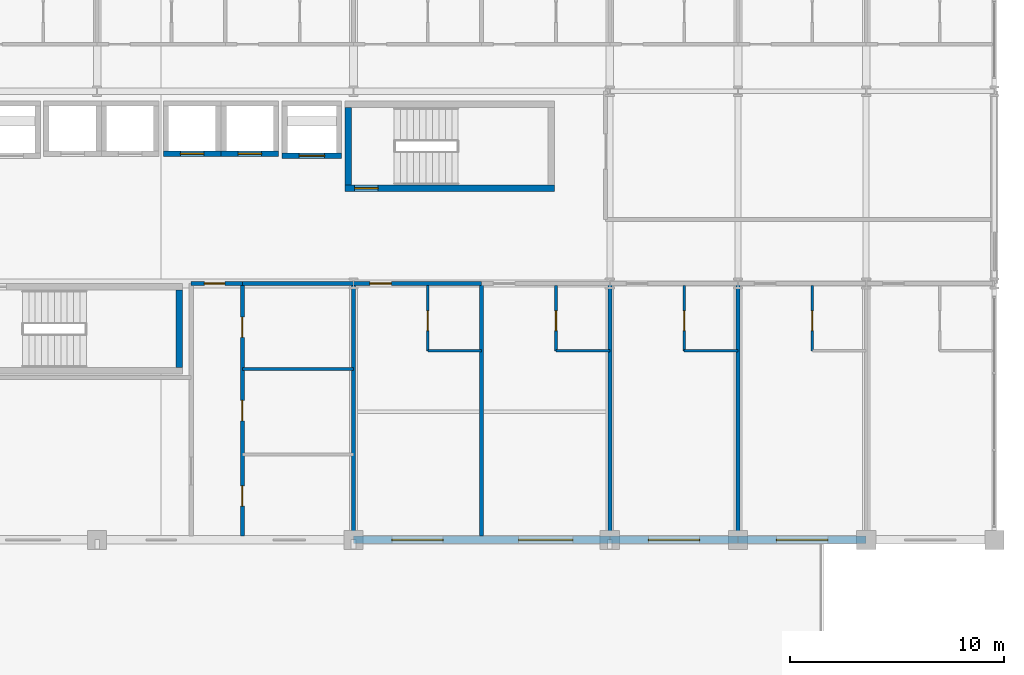
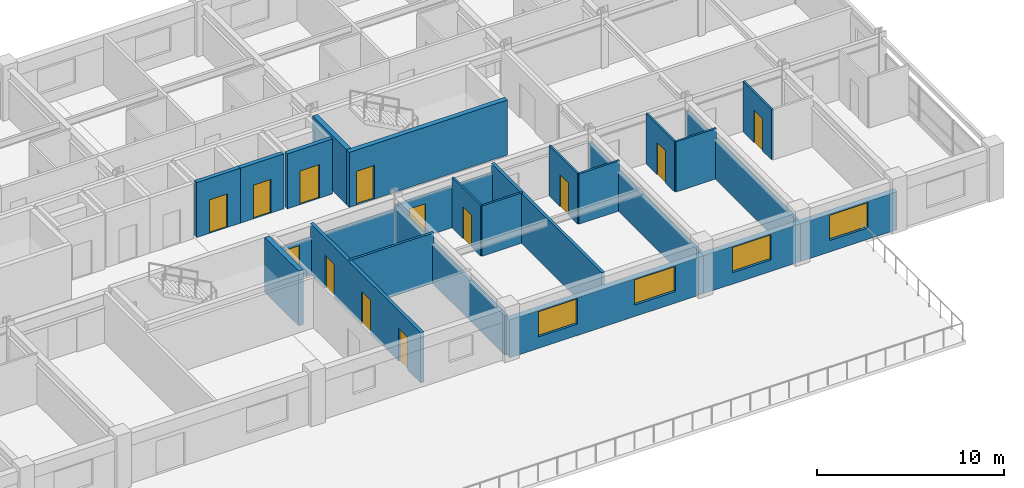
# One storey, part 18 of 24: 25 walls, 13 doors, 4 windows, 17 openings.
"""IFC4 building model written with IfcOpenShell, lengths in metres."""

from ifc_helpers import new_model, si_unit, direction, frame, frame_2d, origin, place, context, subcontext, project, spatial, rectangle, extrude, material, layer, layer_set, type_object, element, fill, save


model = new_model("IFC4")

# Units and contexts
model_context = context("Model", 3, precision=1e-05, world=origin(), true_north=direction((0.0, 1.0)))
body_context = subcontext(model_context, "Body", "Model", "MODEL_VIEW")
ifc_project = project(units=[si_unit("LENGTHUNIT", "METRE"), si_unit("AREAUNIT", "SQUARE_METRE"), si_unit("VOLUMEUNIT", "CUBIC_METRE"), si_unit("PLANEANGLEUNIT", "RADIAN"), si_unit("MASSUNIT", "GRAM", prefix="KILO")], contexts=[model_context])

# Site, building, storey
site_placement = place(None, origin())
site = spatial("IfcSite", under=ifc_project, at=site_placement, CompositionType="ELEMENT")
building_placement = place(site_placement, origin())
building = spatial("IfcBuilding", under=site, at=building_placement, Name="Kaldorvane Square Convention Centre", CompositionType="ELEMENT")
storey_placement = place(building_placement, frame((0.0, 0.0, 27.600006103515625)))
storey = spatial("IfcBuildingStorey", under=building, at=storey_placement, Name="L05", CompositionType="ELEMENT", Elevation=27.600006103515625)

# Wall, opening, door
ifc_material_1 = material(Name="Fire-Rated Gypsum Board on Acoustic Steel Studs", Category="steel")
ifc_layer_1 = layer(ifc_material_1, 0.125)
ifc_layer_set_1 = layer_set([ifc_layer_1], Name="Fire-Rated Gypsum Board on Acoustic Steel Studs")
wall_type_1 = type_object("IfcWallType", Name="WL-BATH-125", PredefinedType="PARTITIONING", material=ifc_layer_set_1)
wall_1_placement = place(storey_placement, frame((69.47999572753906, 92.85000610351562, 0.0), z_axis=(0.0, 0.0, 1.0), x_axis=(0.0, 1.0, 0.0)))
wall_1 = element("IfcWall", 1, at=wall_1_placement, inside=storey, type_object=wall_type_1, Name="En-Suite 516 West Wall", PredefinedType="PARTITIONING", context=body_context, shape_type="SweptSolid", body=[
    extrude(rectangle(XDim=3.05999755859375, YDim=0.125, at=frame_2d((1.529998779296875, 0.0))), origin(), (0.0, 0.0, 1.0), 3.2899932861328125),
])
opening_1_placement = place(wall_1_placement, frame((0.9499969482421875, 0.0, 0.0)))
opening_1 = element("IfcOpeningElement", 2, at=opening_1_placement, cuts=wall_1, Name="Opening ID-12", PredefinedType="OPENING", context=body_context, shape_type="SweptSolid", body=[
    extrude(rectangle(XDim=0.9199981689453125, YDim=2.100006103515625, at=frame_2d((0.459991455078125, 1.0500030517578125))), frame((0.0, 0.0774993896484375, 0.0), z_axis=(0.0, -1.0, 0.0), x_axis=(1.0, 0.0, 0.0)), (0.0, 0.0, 1.0), 0.154998779296875),
])
ifc_material_2 = material(Name="Architectural Solid-Core White Oak")
door_type_1 = type_object("IfcDoorType", Name="DR-BATH-0920X2100", OperationType="SINGLE_SWING_RIGHT", PredefinedType="DOOR", material=ifc_material_2)
door_1_placement = place(opening_1_placement, origin())
door_1 = element("IfcDoor", 3, at=door_1_placement, inside=storey, type_object=door_type_1, Name="En-Suite Bathroom 516 Door", OperationType="SINGLE_SWING_RIGHT", OverallHeight=2.100006103515625, OverallWidth=0.9199981689453125, PredefinedType="DOOR", context=body_context, shape_type="SweptSolid", body=[
    extrude(rectangle(XDim=0.9199981689453125, YDim=2.100006103515625, at=frame_2d((0.459991455078125, 1.0500030517578125))), frame((0.0, 0.024993896484375, 0.0), z_axis=(0.0, -1.0, 0.0), x_axis=(1.0, 0.0, 0.0)), (0.0, 0.0, 1.0), 0.0500030517578125),
])
fill(opening_1, door_1)

# Wall
wall_2_placement = place(storey_placement, frame((69.47999572753906, 92.85000610351562, 0.0), z_axis=(0.0, 0.0, 1.0), x_axis=(1.0, 0.0, 0.0)))
element("IfcWall", 4, at=wall_2_placement, inside=storey, type_object=wall_type_1, Name="En-Suite 516 South Wall", PredefinedType="PARTITIONING", context=body_context, shape_type="SweptSolid", body=[
    extrude(rectangle(XDim=2.5200042724609375, YDim=0.125, at=frame_2d((1.260009765625, 0.0))), origin(), (0.0, 0.0, 1.0), 3.2899932861328125),
])

# Wall, opening, door
wall_3_placement = place(storey_placement, frame((75.47999572753906, 92.85000610351562, 0.0), z_axis=(0.0, 0.0, 1.0), x_axis=(0.0, 1.0, 0.0)))
wall_3 = element("IfcWall", 5, at=wall_3_placement, inside=storey, type_object=wall_type_1, Name="En-Suite 517 West Wall", PredefinedType="PARTITIONING", context=body_context, shape_type="SweptSolid", body=[
    extrude(rectangle(XDim=3.05999755859375, YDim=0.125, at=frame_2d((1.529998779296875, 0.0))), origin(), (0.0, 0.0, 1.0), 3.2899932861328125),
])
opening_2_placement = place(wall_3_placement, frame((0.9499969482421875, 0.0, 0.0)))
opening_2 = element("IfcOpeningElement", 6, at=opening_2_placement, cuts=wall_3, Name="Opening ID-12", PredefinedType="OPENING", context=body_context, shape_type="SweptSolid", body=[
    extrude(rectangle(XDim=0.9199981689453125, YDim=2.100006103515625, at=frame_2d((0.459991455078125, 1.0500030517578125))), frame((0.0, 0.0774993896484375, 0.0), z_axis=(0.0, -1.0, 0.0), x_axis=(1.0, 0.0, 0.0)), (0.0, 0.0, 1.0), 0.154998779296875),
])
door_2_placement = place(opening_2_placement, origin())
door_2 = element("IfcDoor", 7, at=door_2_placement, inside=storey, type_object=door_type_1, Name="En-Suite Bathroom 517 Door", OperationType="SINGLE_SWING_RIGHT", OverallHeight=2.100006103515625, OverallWidth=0.9199981689453125, PredefinedType="DOOR", context=body_context, shape_type="SweptSolid", body=[
    extrude(rectangle(XDim=0.9199981689453125, YDim=2.100006103515625, at=frame_2d((0.459991455078125, 1.0500030517578125))), frame((0.0, 0.024993896484375, 0.0), z_axis=(0.0, -1.0, 0.0), x_axis=(1.0, 0.0, 0.0)), (0.0, 0.0, 1.0), 0.0500030517578125),
])
fill(opening_2, door_2)

# Wall
wall_4_placement = place(storey_placement, frame((75.47999572753906, 92.85000610351562, 0.0), z_axis=(0.0, 0.0, 1.0), x_axis=(1.0, 0.0, 0.0)))
element("IfcWall", 8, at=wall_4_placement, inside=storey, type_object=wall_type_1, Name="En-Suite 517 South Wall", PredefinedType="PARTITIONING", context=body_context, shape_type="SweptSolid", body=[
    extrude(rectangle(XDim=2.5200042724609375, YDim=0.125, at=frame_2d((1.260009765625, 0.0))), origin(), (0.0, 0.0, 1.0), 3.2899932861328125),
])

# Wall, opening, door
wall_5_placement = place(storey_placement, frame((81.47999572753906, 92.85000610351562, 0.0), z_axis=(0.0, 0.0, 1.0), x_axis=(0.0, 1.0, 0.0)))
wall_5 = element("IfcWall", 9, at=wall_5_placement, inside=storey, type_object=wall_type_1, Name="En-Suite 518 West Wall", PredefinedType="PARTITIONING", context=body_context, shape_type="SweptSolid", body=[
    extrude(rectangle(XDim=3.05999755859375, YDim=0.125, at=frame_2d((1.529998779296875, 0.0))), origin(), (0.0, 0.0, 1.0), 3.2899932861328125),
])
opening_3_placement = place(wall_5_placement, frame((0.9499969482421875, 0.0, 0.0)))
opening_3 = element("IfcOpeningElement", 10, at=opening_3_placement, cuts=wall_5, Name="Opening ID-12", PredefinedType="OPENING", context=body_context, shape_type="SweptSolid", body=[
    extrude(rectangle(XDim=0.9199981689453125, YDim=2.100006103515625, at=frame_2d((0.459991455078125, 1.0500030517578125))), frame((0.0, 0.0774993896484375, 0.0), z_axis=(0.0, -1.0, 0.0), x_axis=(1.0, 0.0, 0.0)), (0.0, 0.0, 1.0), 0.154998779296875),
])
door_3_placement = place(opening_3_placement, origin())
door_3 = element("IfcDoor", 11, at=door_3_placement, inside=storey, type_object=door_type_1, Name="En-Suite Bathroom 518 Door", OperationType="SINGLE_SWING_RIGHT", OverallHeight=2.100006103515625, OverallWidth=0.9199981689453125, PredefinedType="DOOR", context=body_context, shape_type="SweptSolid", body=[
    extrude(rectangle(XDim=0.9199981689453125, YDim=2.100006103515625, at=frame_2d((0.459991455078125, 1.0500030517578125))), frame((0.0, 0.024993896484375, 0.0), z_axis=(0.0, -1.0, 0.0), x_axis=(1.0, 0.0, 0.0)), (0.0, 0.0, 1.0), 0.0500030517578125),
])
fill(opening_3, door_3)

# Wall
wall_6_placement = place(storey_placement, frame((81.47999572753906, 92.85000610351562, 0.0), z_axis=(0.0, 0.0, 1.0), x_axis=(1.0, 0.0, 0.0)))
element("IfcWall", 12, at=wall_6_placement, inside=storey, type_object=wall_type_1, Name="En-Suite 518 South Wall", PredefinedType="PARTITIONING", context=body_context, shape_type="SweptSolid", body=[
    extrude(rectangle(XDim=2.5200042724609375, YDim=0.125, at=frame_2d((1.260009765625, 0.0))), origin(), (0.0, 0.0, 1.0), 3.2899932861328125),
])

# Wall, opening, door
wall_7_placement = place(storey_placement, frame((87.47999572753906, 92.85000610351562, 0.0), z_axis=(0.0, 0.0, 1.0), x_axis=(0.0, 1.0, 0.0)))
wall_7 = element("IfcWall", 13, at=wall_7_placement, inside=storey, type_object=wall_type_1, Name="En-Suite 519 West Wall", PredefinedType="PARTITIONING", context=body_context, shape_type="SweptSolid", body=[
    extrude(rectangle(XDim=3.05999755859375, YDim=0.125, at=frame_2d((1.529998779296875, 0.0))), origin(), (0.0, 0.0, 1.0), 3.2899932861328125),
])
opening_4_placement = place(wall_7_placement, frame((0.9499969482421875, 0.0, 0.0)))
opening_4 = element("IfcOpeningElement", 14, at=opening_4_placement, cuts=wall_7, Name="Opening ID-12", PredefinedType="OPENING", context=body_context, shape_type="SweptSolid", body=[
    extrude(rectangle(XDim=0.9199981689453125, YDim=2.100006103515625, at=frame_2d((0.459991455078125, 1.0500030517578125))), frame((0.0, 0.0774993896484375, 0.0), z_axis=(0.0, -1.0, 0.0), x_axis=(1.0, 0.0, 0.0)), (0.0, 0.0, 1.0), 0.154998779296875),
])
door_4_placement = place(opening_4_placement, origin())
door_4 = element("IfcDoor", 15, at=door_4_placement, inside=storey, type_object=door_type_1, Name="En-Suite Bathroom 519 Door", OperationType="SINGLE_SWING_RIGHT", OverallHeight=2.100006103515625, OverallWidth=0.9199981689453125, PredefinedType="DOOR", context=body_context, shape_type="SweptSolid", body=[
    extrude(rectangle(XDim=0.9199981689453125, YDim=2.100006103515625, at=frame_2d((0.459991455078125, 1.0500030517578125))), frame((0.0, 0.024993896484375, 0.0), z_axis=(0.0, -1.0, 0.0), x_axis=(1.0, 0.0, 0.0)), (0.0, 0.0, 1.0), 0.0500030517578125),
])
fill(opening_4, door_4)

ifc_layer_2 = layer(ifc_material_1, 0.1999969482421875)
ifc_layer_set_2 = layer_set([ifc_layer_2], Name="Fire-Rated Gypsum Board on Acoustic Steel Studs")
wall_type_2 = type_object("IfcWallType", Name="WL-CORR-200", PredefinedType="PARTITIONING", material=ifc_layer_set_2)
wall_8_placement = place(storey_placement, frame((58.399993896484375, 96.0, 0.0), z_axis=(0.0, 0.0, 1.0), x_axis=(1.0, 0.0, 0.0)))
wall_8 = element("IfcWall", 16, at=wall_8_placement, inside=storey, type_object=wall_type_2, Name="Restroom Vestibule Entry Header (L05)", PredefinedType="PARTITIONING", context=body_context, shape_type="SweptSolid", body=[
    extrude(rectangle(XDim=2.4000091552734375, YDim=0.1999969482421875, at=frame_2d((1.20001220703125, 0.0))), origin(), (0.0, 0.0, 1.0), 2.3589935302734375),
])
opening_5_placement = place(wall_8_placement, frame((0.625, 0.0, 0.0)))
opening_5 = element("IfcOpeningElement", 17, at=opening_5_placement, cuts=wall_8, Name="Opening ID-13", PredefinedType="OPENING", context=body_context, shape_type="SweptSolid", body=[
    extrude(rectangle(XDim=0.9499969482421875, YDim=2.149993896484375, at=frame_2d((0.475006103515625, 1.0749969482421875))), frame((0.0, 0.114990234375, 0.0), z_axis=(0.0, -1.0, 0.0), x_axis=(1.0, 0.0, 0.0)), (0.0, 0.0, 1.0), 0.2299957275390625),
])
door_type_2 = type_object("IfcDoorType", Name="DR-WC-0950X2150", OperationType="SINGLE_SWING_LEFT", PredefinedType="DOOR", material=ifc_material_2)
door_5_placement = place(opening_5_placement, origin())
door_5 = element("IfcDoor", 18, at=door_5_placement, inside=storey, type_object=door_type_2, Name="Restroom Vestibule Door (L05)", OperationType="SINGLE_SWING_LEFT", OverallHeight=2.149993896484375, OverallWidth=0.9499969482421875, PredefinedType="DOOR", context=body_context, shape_type="SweptSolid", body=[
    extrude(rectangle(XDim=0.9499969482421875, YDim=2.149993896484375, at=frame_2d((0.475006103515625, 1.0749969482421875))), frame((0.0, 0.024993896484375, 0.0), z_axis=(0.0, -1.0, 0.0), x_axis=(1.0, 0.0, 0.0)), (0.0, 0.0, 1.0), 0.0500030517578125),
])
fill(opening_5, door_5)

# Wall, openings, doors
wall_9_placement = place(storey_placement, frame((60.80000305175781, 84.17500305175781, 0.0), z_axis=(0.0, 0.0, 1.0), x_axis=(0.0, 1.0, 0.0)))
wall_9 = element("IfcWall", 19, at=wall_9_placement, inside=storey, type_object=wall_type_2, Name="Restroom Vestibule East Wall (L05)", PredefinedType="PARTITIONING", context=body_context, shape_type="SweptSolid", body=[
    extrude(rectangle(XDim=11.824996948242188, YDim=0.1999969482421875, at=frame_2d((5.912506103515625, 0.0))), origin(), (0.0, 0.0, 1.0), 3.2899932861328125),
])
opening_6_placement = place(wall_9_placement, frame((1.399993896484375, 0.0, 0.0)))
opening_6 = element("IfcOpeningElement", 20, at=opening_6_placement, cuts=wall_9, Name="Opening ID-13", PredefinedType="OPENING", context=body_context, shape_type="SweptSolid", body=[
    extrude(rectangle(XDim=0.9499969482421875, YDim=2.149993896484375, at=frame_2d((0.475006103515625, 1.0749969482421875))), frame((0.0, 0.114990234375, 0.0), z_axis=(0.0, -1.0, 0.0), x_axis=(1.0, 0.0, 0.0)), (0.0, 0.0, 1.0), 0.2299957275390625),
])
opening_7_placement = place(wall_9_placement, frame((5.399993896484375, 0.0, 0.0)))
opening_7 = element("IfcOpeningElement", 21, at=opening_7_placement, cuts=wall_9, Name="Opening ID-13", PredefinedType="OPENING", context=body_context, shape_type="SweptSolid", body=[
    extrude(rectangle(XDim=0.9499969482421875, YDim=2.149993896484375, at=frame_2d((0.475006103515625, 1.0749969482421875))), frame((0.0, 0.114990234375, 0.0), z_axis=(0.0, -1.0, 0.0), x_axis=(1.0, 0.0, 0.0)), (0.0, 0.0, 1.0), 0.2299957275390625),
])
opening_8_placement = place(wall_9_placement, frame((9.300003051757812, 0.0, 0.0)))
opening_8 = element("IfcOpeningElement", 22, at=opening_8_placement, cuts=wall_9, Name="Opening ID-13", PredefinedType="OPENING", context=body_context, shape_type="SweptSolid", body=[
    extrude(rectangle(XDim=0.9499969482421875, YDim=2.149993896484375, at=frame_2d((0.475006103515625, 1.0749969482421875))), frame((0.0, 0.114990234375, 0.0), z_axis=(0.0, -1.0, 0.0), x_axis=(1.0, 0.0, 0.0)), (0.0, 0.0, 1.0), 0.2299957275390625),
])
door_6_placement = place(opening_6_placement, origin())
door_6 = element("IfcDoor", 23, at=door_6_placement, inside=storey, type_object=door_type_2, Name="Accessible Restroom Door (L05)", OperationType="SINGLE_SWING_LEFT", OverallHeight=2.149993896484375, OverallWidth=0.9499969482421875, PredefinedType="DOOR", context=body_context, shape_type="SweptSolid", body=[
    extrude(rectangle(XDim=0.9499969482421875, YDim=2.149993896484375, at=frame_2d((0.475006103515625, 1.0749969482421875))), frame((0.0, 0.024993896484375, 0.0), z_axis=(0.0, -1.0, 0.0), x_axis=(1.0, 0.0, 0.0)), (0.0, 0.0, 1.0), 0.0500030517578125),
])
fill(opening_6, door_6)
door_7_placement = place(opening_7_placement, origin())
door_7 = element("IfcDoor", 24, at=door_7_placement, inside=storey, type_object=door_type_2, Name="Men's Restroom Door (L05)", OperationType="SINGLE_SWING_LEFT", OverallHeight=2.149993896484375, OverallWidth=0.9499969482421875, PredefinedType="DOOR", context=body_context, shape_type="SweptSolid", body=[
    extrude(rectangle(XDim=0.9499969482421875, YDim=2.149993896484375, at=frame_2d((0.475006103515625, 1.0749969482421875))), frame((0.0, 0.024993896484375, 0.0), z_axis=(0.0, -1.0, 0.0), x_axis=(1.0, 0.0, 0.0)), (0.0, 0.0, 1.0), 0.0500030517578125),
])
fill(opening_7, door_7)
door_8_placement = place(opening_8_placement, origin())
door_8 = element("IfcDoor", 25, at=door_8_placement, inside=storey, type_object=door_type_2, Name="Women's Restroom Door (L05)", OperationType="SINGLE_SWING_LEFT", OverallHeight=2.149993896484375, OverallWidth=0.9499969482421875, PredefinedType="DOOR", context=body_context, shape_type="SweptSolid", body=[
    extrude(rectangle(XDim=0.9499969482421875, YDim=2.149993896484375, at=frame_2d((0.475006103515625, 1.0749969482421875))), frame((0.0, 0.024993896484375, 0.0), z_axis=(0.0, -1.0, 0.0), x_axis=(1.0, 0.0, 0.0)), (0.0, 0.0, 1.0), 0.0500030517578125),
])
fill(opening_8, door_8)

# Walls
wall_10_placement = place(storey_placement, frame((66.0, 84.17500305175781, 0.0), z_axis=(0.0, 0.0, 1.0), x_axis=(0.0, 1.0, 0.0)))
element("IfcWall", 26, at=wall_10_placement, inside=storey, type_object=wall_type_2, Name="Restroom East Wall (L05)", PredefinedType="PARTITIONING", context=body_context, shape_type="SweptSolid", body=[
    extrude(rectangle(XDim=11.824996948242188, YDim=0.1999969482421875, at=frame_2d((5.912506103515625, 0.0))), origin(), (0.0, 0.0, 1.0), 2.589996337890625),
])
wall_11_placement = place(storey_placement, frame((60.80000305175781, 96.0, 0.0), z_axis=(0.0, 0.0, 1.0), x_axis=(1.0, 0.0, 0.0)))
element("IfcWall", 27, at=wall_11_placement, inside=storey, type_object=wall_type_2, Name="Restroom North Wall (L05)", PredefinedType="PARTITIONING", context=body_context, shape_type="SweptSolid", body=[
    extrude(rectangle(XDim=5.1999969482421875, YDim=0.1999969482421875, at=frame_2d((2.600006103515625, 0.0))), origin(), (0.0, 0.0, 1.0), 2.3589935302734375),
])

# Wall, openings, windows
ifc_material_3 = material(Name="Concrete f'c = 42 MPa (Normalweight)", Category="concrete")
ifc_layer_3 = layer(ifc_material_3, 0.350006103515625)
ifc_layer_set_3 = layer_set([ifc_layer_3], Name="Concrete f'c = 42 MPa (Normalweight)")
wall_type_3 = type_object("IfcWallType", Name="WL-EXT-350", PredefinedType="STANDARD", material=ifc_layer_set_3)
wall_12_placement = place(storey_placement, frame((66.0, 84.0, 0.0), z_axis=(0.0, 0.0, 1.0), x_axis=(1.0, 0.0, 0.0)))
wall_12 = element("IfcWall", 28, at=wall_12_placement, inside=storey, type_object=wall_type_3, Name="Hotel S Brutalist Facade Wall (L05)", PredefinedType="STANDARD", context=body_context, shape_type="SweptSolid", body=[
    extrude(rectangle(XDim=12.0, YDim=0.350006103515625, at=frame_2d((6.0, 0.0))), origin(), (0.0, 0.0, 1.0), 2.485992431640625),
])
opening_9_placement = place(wall_12_placement, frame((1.8000030517578125, 0.0, 0.75)))
opening_9 = element("IfcOpeningElement", 29, at=opening_9_placement, cuts=wall_12, Name="Opening W-01", PredefinedType="OPENING", context=body_context, shape_type="SweptSolid", body=[
    extrude(rectangle(XDim=2.399993896484375, YDim=1.649993896484375, at=frame_2d((1.1999969482421875, 0.8249969482421875))), frame((0.0, 0.19000244140625, 0.0), z_axis=(0.0, -1.0, 0.0), x_axis=(1.0, 0.0, 0.0)), (0.0, 0.0, 1.0), 0.3800048828125),
])
opening_10_placement = place(wall_12_placement, frame((7.725006103515625, 0.0, 0.75)))
opening_10 = element("IfcOpeningElement", 30, at=opening_10_placement, cuts=wall_12, Name="Opening W-02", PredefinedType="OPENING", context=body_context, shape_type="SweptSolid", body=[
    extrude(rectangle(XDim=2.5500030517578125, YDim=1.649993896484375, at=frame_2d((1.274993896484375, 0.8249969482421875))), frame((0.0, 0.19000244140625, 0.0), z_axis=(0.0, -1.0, 0.0), x_axis=(1.0, 0.0, 0.0)), (0.0, 0.0, 1.0), 0.3800048828125),
])
ifc_material_4 = material(Name="Anodized Aluminum and Low-E Insulated Glazing", Category="aluminium")
window_type_1 = type_object("IfcWindowType", Name="WN-HTL-2400X1650", PartitioningType="DOUBLE_PANEL_VERTICAL", PredefinedType="WINDOW", material=ifc_material_4)
window_1_placement = place(opening_9_placement, origin())
window_1 = element("IfcWindow", 31, at=window_1_placement, inside=storey, type_object=window_type_1, Name="Hotel S Window (L05)", OverallHeight=1.649993896484375, OverallWidth=2.399993896484375, PartitioningType="DOUBLE_PANEL_VERTICAL", PredefinedType="WINDOW", context=body_context, shape_type="SweptSolid", body=[
    extrude(rectangle(XDim=2.399993896484375, YDim=1.649993896484375, at=frame_2d((1.1999969482421875, 0.8249969482421875))), frame((0.0, 0.029998779296875, 0.0), z_axis=(0.0, -1.0, 0.0), x_axis=(1.0, 0.0, 0.0)), (0.0, 0.0, 1.0), 0.05999755859375),
])
fill(opening_9, window_1)
window_type_2 = type_object("IfcWindowType", Name="WN-HTL-2550X1650", PartitioningType="DOUBLE_PANEL_VERTICAL", PredefinedType="WINDOW", material=ifc_material_4)
window_2_placement = place(opening_10_placement, origin())
window_2 = element("IfcWindow", 32, at=window_2_placement, inside=storey, type_object=window_type_2, Name="Hotel S Window (L05)", OverallHeight=1.649993896484375, OverallWidth=2.5500030517578125, PartitioningType="DOUBLE_PANEL_VERTICAL", PredefinedType="WINDOW", context=body_context, shape_type="SweptSolid", body=[
    extrude(rectangle(XDim=2.5500030517578125, YDim=1.649993896484375, at=frame_2d((1.274993896484375, 0.8249969482421875))), frame((0.0, 0.029998779296875, 0.0), z_axis=(0.0, -1.0, 0.0), x_axis=(1.0, 0.0, 0.0)), (0.0, 0.0, 1.0), 0.05999755859375),
])
fill(opening_10, window_2)

# Wall, opening, window
wall_13_placement = place(storey_placement, frame((78.0, 84.0, 0.0), z_axis=(0.0, 0.0, 1.0), x_axis=(1.0, 0.0, 0.0)))
wall_13 = element("IfcWall", 33, at=wall_13_placement, inside=storey, type_object=wall_type_3, Name="Hotel S Brutalist Facade Wall (L05)", PredefinedType="STANDARD", context=body_context, shape_type="SweptSolid", body=[
    extrude(rectangle(XDim=6.0, YDim=0.350006103515625, at=frame_2d((3.0, 0.0))), origin(), (0.0, 0.0, 1.0), 2.485992431640625),
])
opening_11_placement = place(wall_13_placement, frame((1.8000030517578125, 0.0, 0.75)))
opening_11 = element("IfcOpeningElement", 34, at=opening_11_placement, cuts=wall_13, Name="Opening W-01", PredefinedType="OPENING", context=body_context, shape_type="SweptSolid", body=[
    extrude(rectangle(XDim=2.399993896484375, YDim=1.649993896484375, at=frame_2d((1.1999969482421875, 0.8249969482421875))), frame((0.0, 0.19000244140625, 0.0), z_axis=(0.0, -1.0, 0.0), x_axis=(1.0, 0.0, 0.0)), (0.0, 0.0, 1.0), 0.3800048828125),
])
window_3_placement = place(opening_11_placement, origin())
window_3 = element("IfcWindow", 35, at=window_3_placement, inside=storey, type_object=window_type_1, Name="Hotel S Window (L05)", OverallHeight=1.649993896484375, OverallWidth=2.399993896484375, PartitioningType="DOUBLE_PANEL_VERTICAL", PredefinedType="WINDOW", context=body_context, shape_type="SweptSolid", body=[
    extrude(rectangle(XDim=2.399993896484375, YDim=1.649993896484375, at=frame_2d((1.1999969482421875, 0.8249969482421875))), frame((0.0, 0.029998779296875, 0.0), z_axis=(0.0, -1.0, 0.0), x_axis=(1.0, 0.0, 0.0)), (0.0, 0.0, 1.0), 0.05999755859375),
])
fill(opening_11, window_3)

wall_14_placement = place(storey_placement, frame((84.0, 84.0, 0.0), z_axis=(0.0, 0.0, 1.0), x_axis=(1.0, 0.0, 0.0)))
wall_14 = element("IfcWall", 36, at=wall_14_placement, inside=storey, type_object=wall_type_3, Name="Hotel S Brutalist Facade Wall (L05)", PredefinedType="STANDARD", context=body_context, shape_type="SweptSolid", body=[
    extrude(rectangle(XDim=6.0, YDim=0.350006103515625, at=frame_2d((3.0, 0.0))), origin(), (0.0, 0.0, 1.0), 2.485992431640625),
])
opening_12_placement = place(wall_14_placement, frame((1.8000030517578125, 0.0, 0.75)))
opening_12 = element("IfcOpeningElement", 37, at=opening_12_placement, cuts=wall_14, Name="Opening W-01", PredefinedType="OPENING", context=body_context, shape_type="SweptSolid", body=[
    extrude(rectangle(XDim=2.399993896484375, YDim=1.649993896484375, at=frame_2d((1.1999969482421875, 0.8249969482421875))), frame((0.0, 0.19000244140625, 0.0), z_axis=(0.0, -1.0, 0.0), x_axis=(1.0, 0.0, 0.0)), (0.0, 0.0, 1.0), 0.3800048828125),
])
window_4_placement = place(opening_12_placement, origin())
window_4 = element("IfcWindow", 38, at=window_4_placement, inside=storey, type_object=window_type_1, Name="Hotel S Window (L05)", OverallHeight=1.649993896484375, OverallWidth=2.399993896484375, PartitioningType="DOUBLE_PANEL_VERTICAL", PredefinedType="WINDOW", context=body_context, shape_type="SweptSolid", body=[
    extrude(rectangle(XDim=2.399993896484375, YDim=1.649993896484375, at=frame_2d((1.1999969482421875, 0.8249969482421875))), frame((0.0, 0.029998779296875, 0.0), z_axis=(0.0, -1.0, 0.0), x_axis=(1.0, 0.0, 0.0)), (0.0, 0.0, 1.0), 0.05999755859375),
])
fill(opening_12, window_4)

# Wall
ifc_layer_4 = layer(ifc_material_1, 0.149993896484375)
ifc_layer_set_4 = layer_set([ifc_layer_4], Name="Fire-Rated Gypsum Board on Acoustic Steel Studs")
wall_type_4 = type_object("IfcWallType", Name="WL-PART-150", PredefinedType="PARTITIONING", material=ifc_layer_set_4)
wall_15_placement = place(storey_placement, frame((60.80000305175781, 92.0, 0.0), z_axis=(0.0, 0.0, 1.0), x_axis=(1.0, 0.0, 0.0)))
element("IfcWall", 39, at=wall_15_placement, inside=storey, type_object=wall_type_4, Name="Restroom Partition 2 (L05)", PredefinedType="PARTITIONING", context=body_context, shape_type="SweptSolid", body=[
    extrude(rectangle(XDim=5.1999969482421875, YDim=0.149993896484375, at=frame_2d((2.600006103515625, 0.0))), origin(), (0.0, 0.0, 1.0), 3.2899932861328125),
])

# Wall, opening, door
ifc_material_5 = material(Name="Concrete f'c = 55 MPa (Normalweight)", Category="concrete")
ifc_layer_5 = layer(ifc_material_5, 0.3000030517578125)
ifc_layer_set_5 = layer_set([ifc_layer_5], Name="Concrete f'c = 55 MPa (Normalweight)")
wall_type_5 = type_object("IfcWallType", Name="WL-SHAFT-300", PredefinedType="SHEAR", material=ifc_layer_set_5)
wall_16_placement = place(storey_placement, frame((65.60000610351562, 100.46000671386719, 0.0), z_axis=(0.0, 0.0, 1.0), x_axis=(1.0, 0.0, 0.0)))
wall_16 = element("IfcWall", 40, at=wall_16_placement, inside=storey, type_object=wall_type_5, Name="Core Enclosure Wall stair:ST-T2-S (L05)", PredefinedType="SHEAR", context=body_context, shape_type="SweptSolid", body=[
    extrude(rectangle(XDim=9.79998779296875, YDim=0.3000030517578125, at=frame_2d((4.899993896484375, 0.0))), origin(), (0.0, 0.0, 1.0), 3.5999908447265625),
])
opening_13_placement = place(wall_16_placement, frame((0.4499969482421875, 0.0, 0.0)))
opening_13 = element("IfcOpeningElement", 41, at=opening_13_placement, cuts=wall_16, Name="Opening FD90-S1", PredefinedType="OPENING", context=body_context, shape_type="SweptSolid", body=[
    extrude(rectangle(XDim=1.100006103515625, YDim=2.1999969482421875, at=frame_2d((0.5500030517578125, 1.100006103515625))), frame((0.0, 0.165008544921875, 0.0), z_axis=(0.0, -1.0, 0.0), x_axis=(1.0, 0.0, 0.0)), (0.0, 0.0, 1.0), 0.3300018310546875),
])
ifc_material_6 = material(Name="Fire-Rated Hollow Metal Steel", Category="steel")
door_type_3 = type_object("IfcDoorType", Name="DR-STAIR-1100", OperationType="SINGLE_SWING_RIGHT", PredefinedType="DOOR", material=ifc_material_6)
door_9_placement = place(opening_13_placement, origin())
door_9 = element("IfcDoor", 42, at=door_9_placement, inside=storey, type_object=door_type_3, Name="Tower Exit Stair T2 Fire Door (L05)", OperationType="SINGLE_SWING_RIGHT", OverallHeight=2.1999969482421875, OverallWidth=1.100006103515625, PredefinedType="DOOR", context=body_context, shape_type="SweptSolid", body=[
    extrude(rectangle(XDim=1.100006103515625, YDim=2.1999969482421875, at=frame_2d((0.5500030517578125, 1.100006103515625))), frame((0.0, 0.024993896484375, 0.0), z_axis=(0.0, -1.0, 0.0), x_axis=(1.0, 0.0, 0.0)), (0.0, 0.0, 1.0), 0.0500030517578125),
])
fill(opening_13, door_9)

# Walls
for number, where, z_axis, x_axis, name in (
    (43, (65.75, 104.25, 0.0), (0.0, 0.0, 1.0), (0.0, -1.0, 0.0), "Core Enclosure Wall stair:ST-T2-W (L05)"),
    (44, (57.850006103515625, 92.05999755859375, 0.0), (0.0, 0.0, 1.0), (0.0, 1.0, 0.0), "Core Enclosure Wall stair:ST-T3-E (L05)"),
):
    element("IfcWall", number, at=place(storey_placement, frame(where, z_axis=z_axis, x_axis=x_axis)), inside=storey, type_object=wall_type_5, Name=name, PredefinedType="SHEAR", context=body_context, shape_type="SweptSolid", body=[
        extrude(rectangle(XDim=3.6399993896484375, YDim=0.3000030517578125, at=frame_2d((1.82000732421875, 0.0))), origin(), (0.0, 0.0, 1.0), 3.5999908447265625),
    ])

# Wall, opening, door
wall_17_placement = place(storey_placement, frame((62.649993896484375, 101.97500610351562, 0.0), z_axis=(0.0, 0.0, 1.0), x_axis=(1.0, 0.0, 0.0)))
wall_17 = element("IfcWall", 45, at=wall_17_placement, inside=storey, type_object=wall_type_5, Name="Core Enclosure Wall lift:FSAE-02-S (L05)", PredefinedType="SHEAR", context=body_context, shape_type="SweptSolid", body=[
    extrude(rectangle(XDim=2.8000030517578125, YDim=0.25, at=frame_2d((1.399993896484375, 0.0))), origin(), (0.0, 0.0, 1.0), 3.5999908447265625),
])
opening_14_placement = place(wall_17_placement, frame((0.8000030517578125, 0.0, 0.0)))
opening_14 = element("IfcOpeningElement", 46, at=opening_14_placement, cuts=wall_17, Name="Opening LD-02", PredefinedType="OPENING", context=body_context, shape_type="SweptSolid", body=[
    extrude(rectangle(XDim=1.1999969482421875, YDim=2.1999969482421875, at=frame_2d((0.600006103515625, 1.100006103515625))), frame((0.0, 0.1399993896484375, 0.0), z_axis=(0.0, -1.0, 0.0), x_axis=(1.0, 0.0, 0.0)), (0.0, 0.0, 1.0), 0.279998779296875),
])
ifc_material_7 = material(Name="Stainless Steel Elevator Door Assembly", Category="steel")
door_type_4 = type_object("IfcDoorType", Name="DR-LIFT-1200", OperationType="DOUBLE_DOOR_SLIDING", PredefinedType="DOOR", material=ifc_material_7)
door_10_placement = place(opening_14_placement, origin())
door_10 = element("IfcDoor", 47, at=door_10_placement, inside=storey, type_object=door_type_4, Name="Elevator Landing Door FSAE-02 (L05)", OperationType="DOUBLE_DOOR_SLIDING", OverallHeight=2.1999969482421875, OverallWidth=1.1999969482421875, PredefinedType="DOOR", context=body_context, shape_type="SweptSolid", body=[
    extrude(rectangle(XDim=1.1999969482421875, YDim=2.1999969482421875, at=frame_2d((0.600006103515625, 1.100006103515625))), frame((0.0, 0.024993896484375, 0.0), z_axis=(0.0, -1.0, 0.0), x_axis=(1.0, 0.0, 0.0)), (0.0, 0.0, 1.0), 0.0500030517578125),
])
fill(opening_14, door_10)

wall_18_placement = place(storey_placement, frame((57.100006103515625, 102.07499694824219, 0.0), z_axis=(0.0, 0.0, 1.0), x_axis=(1.0, 0.0, 0.0)))
wall_18 = element("IfcWall", 48, at=wall_18_placement, inside=storey, type_object=wall_type_5, Name="Core Enclosure Wall lift:EL-P3-S (L05)", PredefinedType="SHEAR", context=body_context, shape_type="SweptSolid", body=[
    extrude(rectangle(XDim=2.6999969482421875, YDim=0.25, at=frame_2d((1.350006103515625, 0.0))), origin(), (0.0, 0.0, 1.0), 3.5999908447265625),
])
opening_15_placement = place(wall_18_placement, frame((0.8000030517578125, 0.0, 0.0)))
opening_15 = element("IfcOpeningElement", 49, at=opening_15_placement, cuts=wall_18, Name="Opening LD-01", PredefinedType="OPENING", context=body_context, shape_type="SweptSolid", body=[
    extrude(rectangle(XDim=1.100006103515625, YDim=2.1999969482421875, at=frame_2d((0.5500030517578125, 1.100006103515625))), frame((0.0, 0.1399993896484375, 0.0), z_axis=(0.0, -1.0, 0.0), x_axis=(1.0, 0.0, 0.0)), (0.0, 0.0, 1.0), 0.279998779296875),
])
door_type_5 = type_object("IfcDoorType", Name="DR-LIFT-1100", OperationType="DOUBLE_DOOR_SLIDING", PredefinedType="DOOR", material=ifc_material_7)
door_11_placement = place(opening_15_placement, origin())
door_11 = element("IfcDoor", 50, at=door_11_placement, inside=storey, type_object=door_type_5, Name="Elevator Landing Door EL-P3 (L05)", OperationType="DOUBLE_DOOR_SLIDING", OverallHeight=2.1999969482421875, OverallWidth=1.100006103515625, PredefinedType="DOOR", context=body_context, shape_type="SweptSolid", body=[
    extrude(rectangle(XDim=1.100006103515625, YDim=2.1999969482421875, at=frame_2d((0.5500030517578125, 1.100006103515625))), frame((0.0, 0.024993896484375, 0.0), z_axis=(0.0, -1.0, 0.0), x_axis=(1.0, 0.0, 0.0)), (0.0, 0.0, 1.0), 0.0500030517578125),
])
fill(opening_15, door_11)

wall_19_placement = place(storey_placement, frame((59.80000305175781, 102.07499694824219, 0.0), z_axis=(0.0, 0.0, 1.0), x_axis=(1.0, 0.0, 0.0)))
wall_19 = element("IfcWall", 51, at=wall_19_placement, inside=storey, type_object=wall_type_5, Name="Core Enclosure Wall lift:EL-P4-S (L05)", PredefinedType="SHEAR", context=body_context, shape_type="SweptSolid", body=[
    extrude(rectangle(XDim=2.6999969482421875, YDim=0.25, at=frame_2d((1.350006103515625, 0.0))), origin(), (0.0, 0.0, 1.0), 3.5999908447265625),
])
opening_16_placement = place(wall_19_placement, frame((0.8000030517578125, 0.0, 0.0)))
opening_16 = element("IfcOpeningElement", 52, at=opening_16_placement, cuts=wall_19, Name="Opening LD-01", PredefinedType="OPENING", context=body_context, shape_type="SweptSolid", body=[
    extrude(rectangle(XDim=1.100006103515625, YDim=2.1999969482421875, at=frame_2d((0.5500030517578125, 1.100006103515625))), frame((0.0, 0.1399993896484375, 0.0), z_axis=(0.0, -1.0, 0.0), x_axis=(1.0, 0.0, 0.0)), (0.0, 0.0, 1.0), 0.279998779296875),
])
door_12_placement = place(opening_16_placement, origin())
door_12 = element("IfcDoor", 53, at=door_12_placement, inside=storey, type_object=door_type_5, Name="Elevator Landing Door EL-P4 (L05)", OperationType="DOUBLE_DOOR_SLIDING", OverallHeight=2.1999969482421875, OverallWidth=1.100006103515625, PredefinedType="DOOR", context=body_context, shape_type="SweptSolid", body=[
    extrude(rectangle(XDim=1.100006103515625, YDim=2.1999969482421875, at=frame_2d((0.5500030517578125, 1.100006103515625))), frame((0.0, 0.024993896484375, 0.0), z_axis=(0.0, -1.0, 0.0), x_axis=(1.0, 0.0, 0.0)), (0.0, 0.0, 1.0), 0.0500030517578125),
])
fill(opening_16, door_12)

ifc_layer_6 = layer(ifc_material_1, 0.17999267578125)
ifc_layer_set_6 = layer_set([ifc_layer_6], Name="Fire-Rated Gypsum Board on Acoustic Steel Studs")
wall_type_6 = type_object("IfcWallType", Name="WL-UNIT-180", PredefinedType="PARTITIONING", material=ifc_layer_set_6)
wall_20_placement = place(storey_placement, frame((66.0, 96.0, 0.0), z_axis=(0.0, 0.0, 1.0), x_axis=(1.0, 0.0, 0.0)))
wall_20 = element("IfcWall", 54, at=wall_20_placement, inside=storey, type_object=wall_type_6, Name="Hotel Guest Room 516 Corridor Wall", PredefinedType="PARTITIONING", context=body_context, shape_type="SweptSolid", body=[
    extrude(rectangle(XDim=6.0, YDim=0.17999267578125, at=frame_2d((3.0, 0.0))), origin(), (0.0, 0.0, 1.0), 2.66400146484375),
])
opening_17_placement = place(wall_20_placement, frame((0.7700042724609375, 0.0, 0.0)))
opening_17 = element("IfcOpeningElement", 55, at=opening_17_placement, cuts=wall_20, Name="Opening ID-10", PredefinedType="OPENING", context=body_context, shape_type="SweptSolid", body=[
    extrude(rectangle(XDim=1.0, YDim=2.149993896484375, at=frame_2d((0.5, 1.0749969482421875))), frame((0.0, 0.1049957275390625, 0.0), z_axis=(0.0, -1.0, 0.0), x_axis=(1.0, 0.0, 0.0)), (0.0, 0.0, 1.0), 0.209991455078125),
])
door_type_6 = type_object("IfcDoorType", Name="DR-GUEST-1000X2150", OperationType="SINGLE_SWING_LEFT", PredefinedType="DOOR", material=ifc_material_2)
door_13_placement = place(opening_17_placement, origin())
door_13 = element("IfcDoor", 56, at=door_13_placement, inside=storey, type_object=door_type_6, Name="Hotel Guest Room 516 Entry Door", OperationType="SINGLE_SWING_LEFT", OverallHeight=2.149993896484375, OverallWidth=1.0, PredefinedType="DOOR", context=body_context, shape_type="SweptSolid", body=[
    extrude(rectangle(XDim=1.0, YDim=2.149993896484375, at=frame_2d((0.5, 1.0749969482421875))), frame((0.0, 0.024993896484375, 0.0), z_axis=(0.0, -1.0, 0.0), x_axis=(1.0, 0.0, 0.0)), (0.0, 0.0, 1.0), 0.0500030517578125),
])
fill(opening_17, door_13)

# Walls
wall_21_placement = place(storey_placement, frame((72.0, 84.17500305175781, 0.0), z_axis=(0.0, 0.0, 1.0), x_axis=(0.0, 1.0, 0.0)))
element("IfcWall", 57, at=wall_21_placement, inside=storey, type_object=wall_type_6, Name="Guestroom Demising Wall 516", PredefinedType="PARTITIONING", context=body_context, shape_type="SweptSolid", body=[
    extrude(rectangle(XDim=11.824996948242188, YDim=0.17999267578125, at=frame_2d((5.912506103515625, 0.0))), origin(), (0.0, 0.0, 1.0), 3.2899932861328125),
])
for number, where, z_axis, x_axis, name in (
    (58, (78.0, 84.17500305175781, 0.0), (0.0, 0.0, 1.0), (0.0, 1.0, 0.0), "Guestroom Demising Wall 517"),
    (59, (84.0, 84.17500305175781, 0.0), (0.0, 0.0, 1.0), (0.0, 1.0, 0.0), "Guestroom Demising Wall 518"),
):
    element("IfcWall", number, at=place(storey_placement, frame(where, z_axis=z_axis, x_axis=x_axis)), inside=storey, type_object=wall_type_6, Name=name, PredefinedType="PARTITIONING", context=body_context, shape_type="SweptSolid", body=[
        extrude(rectangle(XDim=11.824996948242188, YDim=0.17999267578125, at=frame_2d((5.912506103515625, 0.0))), origin(), (0.0, 0.0, 1.0), 2.589996337890625),
    ])

save(model, "model.ifc")
